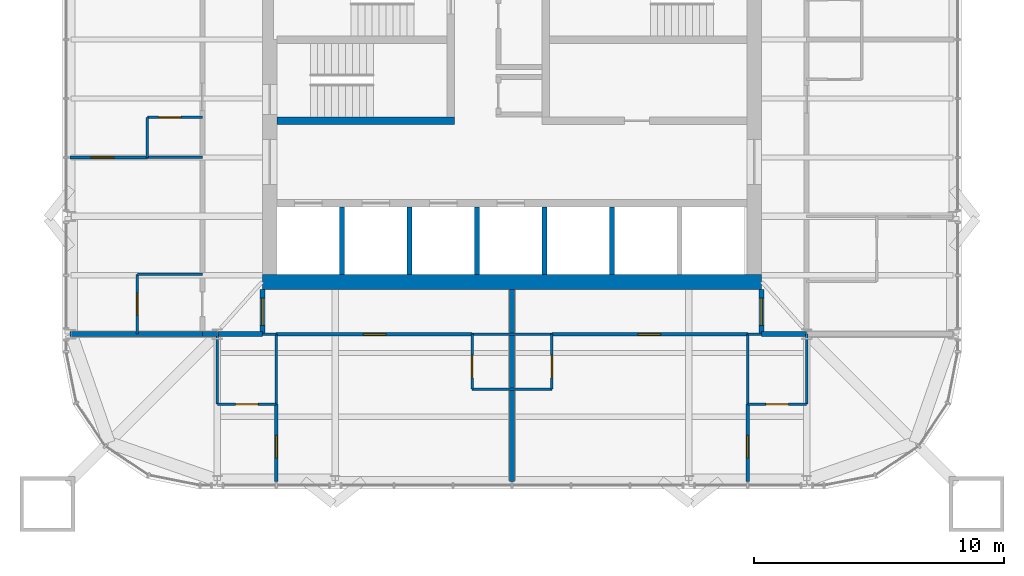
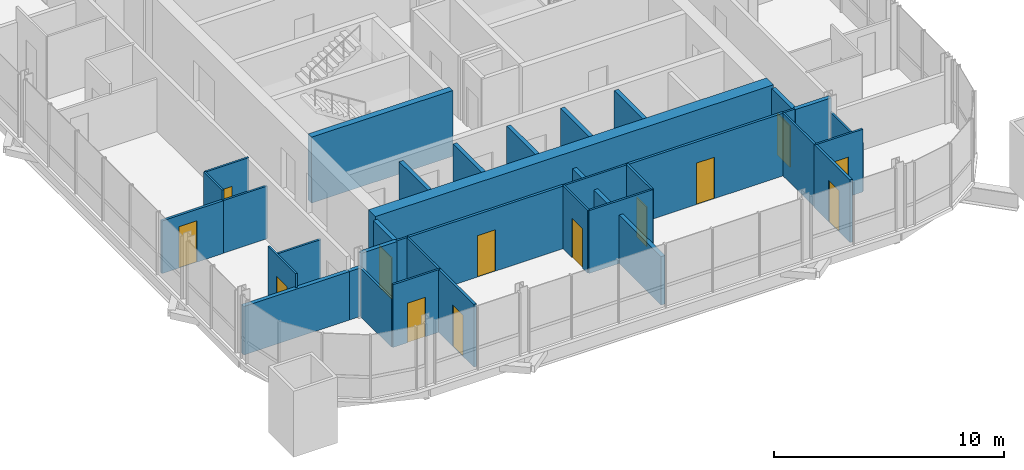
# One storey, part 13 of 17: 36 walls, 13 doors, 13 openings.
"""IFC4 building model written with IfcOpenShell, lengths in metres."""

from ifc_helpers import new_model, si_unit, direction, frame, frame_2d, origin, place, context, subcontext, project, spatial, rectangle, extrude, material, layer, layer_set, type_object, element, fill, save


model = new_model("IFC4")

# Units and contexts
model_context = context("Model", 3, precision=1e-05, world=origin(), true_north=direction((0.0, 1.0)))
body_context = subcontext(model_context, "Body", "Model", "MODEL_VIEW")
ifc_project = project(units=[si_unit("LENGTHUNIT", "METRE"), si_unit("AREAUNIT", "SQUARE_METRE"), si_unit("VOLUMEUNIT", "CUBIC_METRE"), si_unit("PLANEANGLEUNIT", "RADIAN"), si_unit("MASSUNIT", "GRAM", prefix="KILO")], contexts=[model_context])

# Site, building, storey
site_placement = place(None, origin())
site = spatial("IfcSite", under=ifc_project, at=site_placement, CompositionType="ELEMENT")
building_placement = place(site_placement, origin())
building = spatial("IfcBuilding", under=site, at=building_placement, Name="Turquesa Mirador Hotel Tower", CompositionType="ELEMENT")
storey_placement = place(building_placement, frame((0.0, 0.0, 240.699951171875)))
storey = spatial("IfcBuildingStorey", under=building, at=storey_placement, Name="L65", CompositionType="ELEMENT", Elevation=240.699951171875)

# Walls
ifc_material_1 = material(Name="Gypsum board on steel studs", Category="steel")
ifc_layer_1 = layer(ifc_material_1, 0.10009765625)
ifc_layer_set_1 = layer_set([ifc_layer_1], Name="BATHROOM WALL 100")
wall_type_1 = type_object("IfcWallType", Name="BATHROOM WALL 100", PredefinedType="PARTITIONING", material=ifc_layer_set_1)
wall_1_placement = place(storey_placement, frame((45.0, 33.199951171875, 0.0), z_axis=(0.0, 0.0, 1.0), x_axis=(1.0, 0.0, 0.0)))
element("IfcWall", 1, at=wall_1_placement, inside=storey, type_object=wall_type_1, Name="Partition L65 002", PredefinedType="PARTITIONING", context=body_context, shape_type="SweptSolid", body=[
    extrude(rectangle(XDim=0.56005859375, YDim=0.10009765625, at=frame_2d((0.280029296875, 0.0))), origin(), (0.0, 0.0, 1.0), 3.330078125),
])
wall_2_placement = place(storey_placement, frame((53.39990234375, 33.199951171875, 0.0), z_axis=(0.0, 0.0, 1.0), x_axis=(1.0, 0.0, 0.0)))
element("IfcWall", 2, at=wall_2_placement, inside=storey, type_object=wall_type_1, Name="Partition L65 003", PredefinedType="PARTITIONING", context=body_context, shape_type="SweptSolid", body=[
    extrude(rectangle(XDim=3.2001953125, YDim=0.10009765625, at=frame_2d((1.60009765625, 0.0))), origin(), (0.0, 0.0, 1.0), 3.330078125),
])
wall_3_placement = place(storey_placement, frame((64.43994140625, 33.199951171875, 0.0), z_axis=(0.0, 0.0, 1.0), x_axis=(1.0, 0.0, 0.0)))
element("IfcWall", 3, at=wall_3_placement, inside=storey, type_object=wall_type_1, Name="Partition L65 004", PredefinedType="PARTITIONING", context=body_context, shape_type="SweptSolid", body=[
    extrude(rectangle(XDim=0.56005859375, YDim=0.10009765625, at=frame_2d((0.280029296875, 0.0))), origin(), (0.0, 0.0, 1.0), 3.330078125),
])
wall_4_placement = place(storey_placement, frame((53.39990234375, 31.0, 0.0), z_axis=(0.0, 0.0, 1.0), x_axis=(1.0, 0.0, 0.0)))
element("IfcWall", 4, at=wall_4_placement, inside=storey, type_object=wall_type_1, Name="Partition L65 011", PredefinedType="PARTITIONING", context=body_context, shape_type="SweptSolid", body=[
    extrude(rectangle(XDim=3.2001953125, YDim=0.10009765625, at=frame_2d((1.60009765625, 0.0))), origin(), (0.0, 0.0, 1.0), 3.330078125),
])

# Wall, opening, door
wall_5_placement = place(storey_placement, frame((43.199951171875, 30.39990234375, 0.0), z_axis=(0.0, 0.0, 1.0), x_axis=(1.0, 0.0, 0.0)))
wall_5 = element("IfcWall", 5, at=wall_5_placement, inside=storey, type_object=wall_type_1, Name="Partition L65 012", PredefinedType="PARTITIONING", context=body_context, shape_type="SweptSolid", body=[
    extrude(rectangle(XDim=2.360107421875, YDim=0.10009765625, at=frame_2d((1.18017578125, 0.0))), origin(), (0.0, 0.0, 1.0), 3.330078125),
])
opening_1_placement = place(wall_5_placement, frame((0.72998046875, 0.0, 0.0)))
opening_1 = element("IfcOpeningElement", 6, at=opening_1_placement, cuts=wall_5, Name="Opening D02", PredefinedType="OPENING", context=body_context, shape_type="SweptSolid", body=[
    extrude(rectangle(XDim=0.89990234375, YDim=2.10009765625, at=frame_2d((0.449951171875, 1.050048828125))), frame((0.0, 0.06005859375, 0.0), z_axis=(0.0, -1.0, 0.0), x_axis=(1.0, 0.0, 0.0)), (0.0, 0.0, 1.0), 0.1201171875),
])
ifc_material_2 = material(Name="Timber veneered door", Category="wood")
door_type_1 = type_object("IfcDoorType", Name="DOOR 900X2100 EN-SUITE", OperationType="SINGLE_SWING_RIGHT", PredefinedType="DOOR", material=ifc_material_2)
door_1_placement = place(opening_1_placement, origin())
door_1 = element("IfcDoor", 7, at=door_1_placement, inside=storey, type_object=door_type_1, Name="Door 6502B", OperationType="SINGLE_SWING_RIGHT", OverallHeight=2.10009765625, OverallWidth=0.89990234375, PredefinedType="DOOR", context=body_context, shape_type="SweptSolid", body=[
    extrude(rectangle(XDim=0.89990234375, YDim=2.10009765625, at=frame_2d((0.449951171875, 1.050048828125))), frame((0.0, 0.02490234375, 0.0), z_axis=(0.0, -1.0, 0.0), x_axis=(1.0, 0.0, 0.0)), (0.0, 0.0, 1.0), 0.050048828125),
])
fill(opening_1, door_1)

wall_6_placement = place(storey_placement, frame((64.43994140625, 30.39990234375, 0.0), z_axis=(0.0, 0.0, 1.0), x_axis=(1.0, 0.0, 0.0)))
wall_6 = element("IfcWall", 8, at=wall_6_placement, inside=storey, type_object=wall_type_1, Name="Partition L65 013", PredefinedType="PARTITIONING", context=body_context, shape_type="SweptSolid", body=[
    extrude(rectangle(XDim=2.360107421875, YDim=0.10009765625, at=frame_2d((1.18017578125, 0.0))), origin(), (0.0, 0.0, 1.0), 3.330078125),
])
opening_2_placement = place(wall_6_placement, frame((0.72998046875, 0.0, 0.0)))
opening_2 = element("IfcOpeningElement", 9, at=opening_2_placement, cuts=wall_6, Name="Opening D02", PredefinedType="OPENING", context=body_context, shape_type="SweptSolid", body=[
    extrude(rectangle(XDim=0.89990234375, YDim=2.10009765625, at=frame_2d((0.449951171875, 1.050048828125))), frame((0.0, 0.06005859375, 0.0), z_axis=(0.0, -1.0, 0.0), x_axis=(1.0, 0.0, 0.0)), (0.0, 0.0, 1.0), 0.1201171875),
])
door_2_placement = place(opening_2_placement, origin())
door_2 = element("IfcDoor", 10, at=door_2_placement, inside=storey, type_object=door_type_1, Name="Door 6503B", OperationType="SINGLE_SWING_RIGHT", OverallHeight=2.10009765625, OverallWidth=0.89990234375, PredefinedType="DOOR", context=body_context, shape_type="SweptSolid", body=[
    extrude(rectangle(XDim=0.89990234375, YDim=2.10009765625, at=frame_2d((0.449951171875, 1.050048828125))), frame((0.0, 0.02490234375, 0.0), z_axis=(0.0, -1.0, 0.0), x_axis=(1.0, 0.0, 0.0)), (0.0, 0.0, 1.0), 0.050048828125),
])
fill(opening_2, door_2)

wall_7_placement = place(storey_placement, frame((40.39990234375, 41.8798828125, 0.0), z_axis=(0.0, 0.0, 1.0), x_axis=(1.0, 0.0, 0.0)))
wall_7 = element("IfcWall", 11, at=wall_7_placement, inside=storey, type_object=wall_type_1, Name="Partition L65 014", PredefinedType="PARTITIONING", context=body_context, shape_type="SweptSolid", body=[
    extrude(rectangle(XDim=2.2001953125, YDim=0.10009765625, at=frame_2d((1.10009765625, 0.0))), origin(), (0.0, 0.0, 1.0), 3.330078125),
])
opening_3_placement = place(wall_7_placement, frame((0.449951171875, 0.0, 0.0)))
opening_3 = element("IfcOpeningElement", 12, at=opening_3_placement, cuts=wall_7, Name="Opening D06", PredefinedType="OPENING", context=body_context, shape_type="SweptSolid", body=[
    extrude(rectangle(XDim=0.89990234375, YDim=2.10009765625, at=frame_2d((0.449951171875, 1.050048828125))), frame((0.0, 0.06005859375, 0.0), z_axis=(0.0, -1.0, 0.0), x_axis=(1.0, 0.0, 0.0)), (0.0, 0.0, 1.0), 0.1201171875),
])
ifc_material_3 = material(Name="Laminate door", Category="wood")
door_type_2 = type_object("IfcDoorType", Name="DOOR 900X2100 WC", OperationType="SINGLE_SWING_LEFT", PredefinedType="DOOR", material=ifc_material_3)
door_3_placement = place(opening_3_placement, origin())
door_3 = element("IfcDoor", 13, at=door_3_placement, inside=storey, type_object=door_type_2, Name="Door 6506W", OperationType="SINGLE_SWING_LEFT", OverallHeight=2.10009765625, OverallWidth=0.89990234375, PredefinedType="DOOR", context=body_context, shape_type="SweptSolid", body=[
    extrude(rectangle(XDim=0.89990234375, YDim=2.10009765625, at=frame_2d((0.449951171875, 1.050048828125))), frame((0.0, 0.02490234375, 0.0), z_axis=(0.0, -1.0, 0.0), x_axis=(1.0, 0.0, 0.0)), (0.0, 0.0, 1.0), 0.050048828125),
])
fill(opening_3, door_3)

# Walls
wall_8_placement = place(storey_placement, frame((40.39990234375, 40.280029296875, 0.0), z_axis=(0.0, 0.0, 1.0), x_axis=(1.0, 0.0, 0.0)))
element("IfcWall", 14, at=wall_8_placement, inside=storey, type_object=wall_type_1, Name="Partition L65 015", PredefinedType="PARTITIONING", context=body_context, shape_type="SweptSolid", body=[
    extrude(rectangle(XDim=2.2001953125, YDim=0.10009765625, at=frame_2d((1.10009765625, 0.0))), origin(), (0.0, 0.0, 1.0), 2.796630859375),
])
wall_9_placement = place(storey_placement, frame((40.0, 35.60009765625, 0.0), z_axis=(0.0, 0.0, 1.0), x_axis=(1.0, 0.0, 0.0)))
element("IfcWall", 15, at=wall_9_placement, inside=storey, type_object=wall_type_1, Name="Partition L65 019", PredefinedType="PARTITIONING", context=body_context, shape_type="SweptSolid", body=[
    extrude(rectangle(XDim=2.60009765625, YDim=0.10009765625, at=frame_2d((1.300048828125, 0.0))), origin(), (0.0, 0.0, 1.0), 2.796630859375),
])

# Wall, opening, door
wall_10_placement = place(storey_placement, frame((53.39990234375, 31.0, 0.0), z_axis=(0.0, 0.0, 1.0), x_axis=(0.0, 1.0, 0.0)))
wall_10 = element("IfcWall", 16, at=wall_10_placement, inside=storey, type_object=wall_type_1, Name="Partition L65 041", PredefinedType="PARTITIONING", context=body_context, shape_type="SweptSolid", body=[
    extrude(rectangle(XDim=2.199951171875, YDim=0.10009765625, at=frame_2d((1.10009765625, 0.0))), origin(), (0.0, 0.0, 1.0), 3.330078125),
])
opening_4_placement = place(wall_10_placement, frame((0.449951171875, 0.0, 0.0)))
opening_4 = element("IfcOpeningElement", 17, at=opening_4_placement, cuts=wall_10, Name="Opening D06", PredefinedType="OPENING", context=body_context, shape_type="SweptSolid", body=[
    extrude(rectangle(XDim=0.89990234375, YDim=2.10009765625, at=frame_2d((0.449951171875, 1.050048828125))), frame((0.0, 0.06005859375, 0.0), z_axis=(0.0, -1.0, 0.0), x_axis=(1.0, 0.0, 0.0)), (0.0, 0.0, 1.0), 0.1201171875),
])
door_4_placement = place(opening_4_placement, origin())
door_4 = element("IfcDoor", 18, at=door_4_placement, inside=storey, type_object=door_type_2, Name="Door 6502W", OperationType="SINGLE_SWING_LEFT", OverallHeight=2.10009765625, OverallWidth=0.89990234375, PredefinedType="DOOR", context=body_context, shape_type="SweptSolid", body=[
    extrude(rectangle(XDim=0.89990234375, YDim=2.10009765625, at=frame_2d((0.449951171875, 1.050048828125))), frame((0.0, 0.02490234375, 0.0), z_axis=(0.0, -1.0, 0.0), x_axis=(1.0, 0.0, 0.0)), (0.0, 0.0, 1.0), 0.050048828125),
])
fill(opening_4, door_4)

# Walls
wall_11_placement = place(storey_placement, frame((43.199951171875, 30.39990234375, 0.0), z_axis=(0.0, 0.0, 1.0), x_axis=(0.0, 1.0, 0.0)))
element("IfcWall", 19, at=wall_11_placement, inside=storey, type_object=wall_type_1, Name="Partition L65 044", PredefinedType="PARTITIONING", context=body_context, shape_type="SweptSolid", body=[
    extrude(rectangle(XDim=2.800048828125, YDim=0.10009765625, at=frame_2d((1.39990234375, 0.0))), origin(), (0.0, 0.0, 1.0), 2.5732421875),
])
wall_12_placement = place(storey_placement, frame((40.39990234375, 40.280029296875, 0.0), z_axis=(0.0, 0.0, 1.0), x_axis=(0.0, 1.0, 0.0)))
element("IfcWall", 20, at=wall_12_placement, inside=storey, type_object=wall_type_1, Name="Partition L65 047", PredefinedType="PARTITIONING", context=body_context, shape_type="SweptSolid", body=[
    extrude(rectangle(XDim=1.599853515625, YDim=0.10009765625, at=frame_2d((0.7998046875, 0.0))), origin(), (0.0, 0.0, 1.0), 3.330078125),
])

# Wall, opening, door
wall_13_placement = place(storey_placement, frame((40.0, 33.199951171875, 0.0), z_axis=(0.0, 0.0, 1.0), x_axis=(0.0, 1.0, 0.0)))
wall_13 = element("IfcWall", 21, at=wall_13_placement, inside=storey, type_object=wall_type_1, Name="Partition L65 049", PredefinedType="PARTITIONING", context=body_context, shape_type="SweptSolid", body=[
    extrude(rectangle(XDim=2.400146484375, YDim=0.10009765625, at=frame_2d((1.2001953125, 0.0))), origin(), (0.0, 0.0, 1.0), 3.330078125),
])
opening_5_placement = place(wall_13_placement, frame((0.75, 0.0, 0.0)))
opening_5 = element("IfcOpeningElement", 22, at=opening_5_placement, cuts=wall_13, Name="Opening D17", PredefinedType="OPENING", context=body_context, shape_type="SweptSolid", body=[
    extrude(rectangle(XDim=0.89990234375, YDim=2.199951171875, at=frame_2d((0.449951171875, 1.10009765625))), frame((0.0, 0.06005859375, 0.0), z_axis=(0.0, -1.0, 0.0), x_axis=(1.0, 0.0, 0.0)), (0.0, 0.0, 1.0), 0.1201171875),
])
ifc_material_4 = material(Name="Timber veneered door", Category="wood")
door_type_3 = type_object("IfcDoorType", Name="DOOR 900X2200 SUITE INTERNAL", OperationType="SINGLE_SWING_LEFT", PredefinedType="DOOR", material=ifc_material_4)
door_5_placement = place(opening_5_placement, origin())
door_5 = element("IfcDoor", 23, at=door_5_placement, inside=storey, type_object=door_type_3, Name="Door 6506P", OperationType="SINGLE_SWING_LEFT", OverallHeight=2.199951171875, OverallWidth=0.89990234375, PredefinedType="DOOR", context=body_context, shape_type="SweptSolid", body=[
    extrude(rectangle(XDim=0.89990234375, YDim=2.199951171875, at=frame_2d((0.449951171875, 1.10009765625))), frame((0.0, 0.02490234375, 0.0), z_axis=(0.0, -1.0, 0.0), x_axis=(1.0, 0.0, 0.0)), (0.0, 0.0, 1.0), 0.050048828125),
])
fill(opening_5, door_5)

# Wall
wall_14_placement = place(storey_placement, frame((45.56005859375, 30.39990234375, 0.0), z_axis=(0.0, 0.0, 1.0), x_axis=(0.0, 1.0, 0.0)))
element("IfcWall", 24, at=wall_14_placement, inside=storey, type_object=wall_type_1, Name="Partition L65 055", PredefinedType="PARTITIONING", context=body_context, shape_type="SweptSolid", body=[
    extrude(rectangle(XDim=2.800048828125, YDim=0.10009765625, at=frame_2d((1.39990234375, 0.0))), origin(), (0.0, 0.0, 1.0), 3.330078125),
])

# Wall, opening, door
wall_15_placement = place(storey_placement, frame((56.60009765625, 31.0, 0.0), z_axis=(0.0, 0.0, 1.0), x_axis=(0.0, 1.0, 0.0)))
wall_15 = element("IfcWall", 25, at=wall_15_placement, inside=storey, type_object=wall_type_1, Name="Partition L65 058", PredefinedType="PARTITIONING", context=body_context, shape_type="SweptSolid", body=[
    extrude(rectangle(XDim=2.199951171875, YDim=0.10009765625, at=frame_2d((1.10009765625, 0.0))), origin(), (0.0, 0.0, 1.0), 3.330078125),
])
opening_6_placement = place(wall_15_placement, frame((0.449951171875, 0.0, 0.0)))
opening_6 = element("IfcOpeningElement", 26, at=opening_6_placement, cuts=wall_15, Name="Opening D06", PredefinedType="OPENING", context=body_context, shape_type="SweptSolid", body=[
    extrude(rectangle(XDim=0.89990234375, YDim=2.10009765625, at=frame_2d((0.449951171875, 1.050048828125))), frame((0.0, 0.06005859375, 0.0), z_axis=(0.0, -1.0, 0.0), x_axis=(1.0, 0.0, 0.0)), (0.0, 0.0, 1.0), 0.1201171875),
])
door_6_placement = place(opening_6_placement, origin())
door_6 = element("IfcDoor", 27, at=door_6_placement, inside=storey, type_object=door_type_2, Name="Door 6503W", OperationType="SINGLE_SWING_LEFT", OverallHeight=2.10009765625, OverallWidth=0.89990234375, PredefinedType="DOOR", context=body_context, shape_type="SweptSolid", body=[
    extrude(rectangle(XDim=0.89990234375, YDim=2.10009765625, at=frame_2d((0.449951171875, 1.050048828125))), frame((0.0, 0.02490234375, 0.0), z_axis=(0.0, -1.0, 0.0), x_axis=(1.0, 0.0, 0.0)), (0.0, 0.0, 1.0), 0.050048828125),
])
fill(opening_6, door_6)

# Walls
wall_16_placement = place(storey_placement, frame((66.800048828125, 30.39990234375, 0.0), z_axis=(0.0, 0.0, 1.0), x_axis=(0.0, 1.0, 0.0)))
element("IfcWall", 28, at=wall_16_placement, inside=storey, type_object=wall_type_1, Name="Partition L65 061", PredefinedType="PARTITIONING", context=body_context, shape_type="SweptSolid", body=[
    extrude(rectangle(XDim=2.800048828125, YDim=0.10009765625, at=frame_2d((1.39990234375, 0.0))), origin(), (0.0, 0.0, 1.0), 2.5732421875),
])
wall_17_placement = place(storey_placement, frame((64.43994140625, 30.39990234375, 0.0), z_axis=(0.0, 0.0, 1.0), x_axis=(0.0, 1.0, 0.0)))
element("IfcWall", 29, at=wall_17_placement, inside=storey, type_object=wall_type_1, Name="Partition L65 070", PredefinedType="PARTITIONING", context=body_context, shape_type="SweptSolid", body=[
    extrude(rectangle(XDim=2.800048828125, YDim=0.10009765625, at=frame_2d((1.39990234375, 0.0))), origin(), (0.0, 0.0, 1.0), 3.330078125),
])
ifc_material_5 = material(Name="Concrete C50/60", Category="concrete")
ifc_layer_2 = layer(ifc_material_5, 0.300048828125)
ifc_layer_set_2 = layer_set([ifc_layer_2], Name="CORE INNER WALL 300")
wall_type_2 = type_object("IfcWallType", Name="CORE INNER WALL 300", PredefinedType="SHEAR", material=ifc_layer_set_2)
wall_18_placement = place(storey_placement, frame((45.60009765625, 41.75, 0.0), z_axis=(0.0, 0.0, 1.0), x_axis=(1.0, 0.0, 0.0)))
element("IfcWall", 30, at=wall_18_placement, inside=storey, type_object=wall_type_2, Name="Core wall MS-W", PredefinedType="SHEAR", context=body_context, shape_type="SweptSolid", body=[
    extrude(rectangle(XDim=7.099853515625, YDim=0.300048828125, at=frame_2d((3.5498046875, 0.0))), origin(), (0.0, 0.0, 1.0), 3.5),
])
ifc_material_6 = material(Name="Concrete C50/60", Category="concrete")
ifc_layer_3 = layer(ifc_material_6, 0.60009765625)
ifc_layer_set_3 = layer_set([ifc_layer_3], Name="CORE WALL 600")
wall_type_3 = type_object("IfcWallType", Name="CORE WALL 600", PredefinedType="SHEAR", material=ifc_layer_set_3)
wall_19_placement = place(storey_placement, frame((45.0, 35.300048828125, 0.0), z_axis=(0.0, 0.0, 1.0), x_axis=(1.0, 0.0, 0.0)))
element("IfcWall", 31, at=wall_19_placement, inside=storey, type_object=wall_type_3, Name="Core wall S", PredefinedType="SHEAR", context=body_context, shape_type="SweptSolid", body=[
    extrude(rectangle(XDim=20.0, YDim=0.60009765625, at=frame_2d((10.0, 0.0))), origin(), (0.0, 0.0, 1.0), 3.5),
])
ifc_material_7 = material(Name="Fire-rated gypsum board on steel studs", Category="steel")
ifc_layer_4 = layer(ifc_material_7, 0.199951171875)
ifc_layer_set_4 = layer_set([ifc_layer_4], Name="CORRIDOR WALL 200")
wall_type_4 = type_object("IfcWallType", Name="CORRIDOR WALL 200", PredefinedType="PARTITIONING", material=ifc_layer_set_4)
wall_20_placement = place(storey_placement, frame((43.219970703125, 33.199951171875, 0.0), z_axis=(0.0, 0.0, 1.0), x_axis=(1.0, 0.0, 0.0)))
element("IfcWall", 32, at=wall_20_placement, inside=storey, type_object=wall_type_4, Name="Partition L65 005", PredefinedType="PARTITIONING", context=body_context, shape_type="SweptSolid", body=[
    extrude(rectangle(XDim=1.780029296875, YDim=0.199951171875, at=frame_2d((0.89013671875, 0.0))), origin(), (0.0, 0.0, 1.0), 3.330078125),
])
wall_21_placement = place(storey_placement, frame((65.0, 33.199951171875, 0.0), z_axis=(0.0, 0.0, 1.0), x_axis=(1.0, 0.0, 0.0)))
element("IfcWall", 33, at=wall_21_placement, inside=storey, type_object=wall_type_4, Name="Partition L65 006", PredefinedType="PARTITIONING", context=body_context, shape_type="SweptSolid", body=[
    extrude(rectangle(XDim=1.800048828125, YDim=0.199951171875, at=frame_2d((0.89990234375, 0.0))), origin(), (0.0, 0.0, 1.0), 3.330078125),
])

# Wall, opening, door
wall_22_placement = place(storey_placement, frame((45.0, 33.199951171875, 0.0), z_axis=(0.0, 0.0, 1.0), x_axis=(0.0, 1.0, 0.0)))
wall_22 = element("IfcWall", 34, at=wall_22_placement, inside=storey, type_object=wall_type_4, Name="Partition L65 042", PredefinedType="PARTITIONING", context=body_context, shape_type="SweptSolid", body=[
    extrude(rectangle(XDim=1.800048828125, YDim=0.199951171875, at=frame_2d((0.89990234375, 0.0))), origin(), (0.0, 0.0, 1.0), 3.330078125),
])
opening_7_placement = place(wall_22_placement, frame((0.35009765625, 0.0, 0.0)))
opening_7 = element("IfcOpeningElement", 35, at=opening_7_placement, cuts=wall_22, Name="Opening D15", PredefinedType="OPENING", context=body_context, shape_type="SweptSolid", body=[
    extrude(rectangle(XDim=1.10009765625, YDim=2.199951171875, at=frame_2d((0.550048828125, 1.10009765625))), frame((0.0, 0.10986328125, 0.0), z_axis=(0.0, -1.0, 0.0), x_axis=(1.0, 0.0, 0.0)), (0.0, 0.0, 1.0), 0.219970703125),
])
ifc_material_8 = material(Name="Timber veneered fire door", Category="wood")
door_type_4 = type_object("IfcDoorType", Name="DOOR 1100X2200 SUITE ENTRY", OperationType="SINGLE_SWING_LEFT", PredefinedType="DOOR", material=ifc_material_8)
door_7_placement = place(opening_7_placement, origin())
door_7 = element("IfcDoor", 36, at=door_7_placement, inside=storey, type_object=door_type_4, Name="Door 6502G", OperationType="SINGLE_SWING_LEFT", OverallHeight=2.199951171875, OverallWidth=1.10009765625, PredefinedType="DOOR", context=body_context, shape_type="SweptSolid", body=[
    extrude(rectangle(XDim=1.10009765625, YDim=2.199951171875, at=frame_2d((0.550048828125, 1.10009765625))), frame((0.0, 0.02490234375, 0.0), z_axis=(0.0, -1.0, 0.0), x_axis=(1.0, 0.0, 0.0)), (0.0, 0.0, 1.0), 0.050048828125),
])
fill(opening_7, door_7)

wall_23_placement = place(storey_placement, frame((65.0, 33.199951171875, 0.0), z_axis=(0.0, 0.0, 1.0), x_axis=(0.0, 1.0, 0.0)))
wall_23 = element("IfcWall", 37, at=wall_23_placement, inside=storey, type_object=wall_type_4, Name="Partition L65 059", PredefinedType="PARTITIONING", context=body_context, shape_type="SweptSolid", body=[
    extrude(rectangle(XDim=1.800048828125, YDim=0.199951171875, at=frame_2d((0.89990234375, 0.0))), origin(), (0.0, 0.0, 1.0), 3.330078125),
])
opening_8_placement = place(wall_23_placement, frame((0.35009765625, 0.0, 0.0)))
opening_8 = element("IfcOpeningElement", 38, at=opening_8_placement, cuts=wall_23, Name="Opening D15", PredefinedType="OPENING", context=body_context, shape_type="SweptSolid", body=[
    extrude(rectangle(XDim=1.10009765625, YDim=2.199951171875, at=frame_2d((0.550048828125, 1.10009765625))), frame((0.0, 0.10986328125, 0.0), z_axis=(0.0, -1.0, 0.0), x_axis=(1.0, 0.0, 0.0)), (0.0, 0.0, 1.0), 0.219970703125),
])
door_8_placement = place(opening_8_placement, origin())
door_8 = element("IfcDoor", 39, at=door_8_placement, inside=storey, type_object=door_type_4, Name="Door 6503G", OperationType="SINGLE_SWING_LEFT", OverallHeight=2.199951171875, OverallWidth=1.10009765625, PredefinedType="DOOR", context=body_context, shape_type="SweptSolid", body=[
    extrude(rectangle(XDim=1.10009765625, YDim=2.199951171875, at=frame_2d((0.550048828125, 1.10009765625))), frame((0.0, 0.02490234375, 0.0), z_axis=(0.0, -1.0, 0.0), x_axis=(1.0, 0.0, 0.0)), (0.0, 0.0, 1.0), 0.050048828125),
])
fill(opening_8, door_8)

# Walls
wall_24_placement = place(storey_placement, frame((42.60009765625, 33.199951171875, 0.0), z_axis=(0.0, 0.0, 1.0), x_axis=(1.0, 0.0, 0.0)))
element("IfcWall", 40, at=wall_24_placement, inside=storey, type_object=wall_type_4, Name="Partition L65 072", PredefinedType="PARTITIONING", context=body_context, shape_type="SweptSolid", body=[
    extrude(rectangle(XDim=0.619873046875, YDim=0.199951171875, at=frame_2d((0.31005859375, 0.0))), origin(), (0.0, 0.0, 1.0), 2.5732421875),
])
ifc_material_9 = material(Name="Fire-rated gypsum shaft wall on steel studs", Category="steel")
ifc_layer_5 = layer(ifc_material_9, 0.199951171875)
ifc_layer_set_5 = layer_set([ifc_layer_5], Name="LIFT SHAFT DIVIDER 200")
wall_type_5 = type_object("IfcWallType", Name="LIFT SHAFT DIVIDER 200", PredefinedType="PARTITIONING", material=ifc_layer_set_5)
for number, where, z_axis, x_axis, name in (
    (41, (48.199951171875, 35.60009765625, 0.0), (0.0, 0.0, 1.0), (0.0, 1.0, 0.0), "Lift shaft divider"),
    (42, (50.89990234375, 35.60009765625, 0.0), (0.0, 0.0, 1.0), (0.0, 1.0, 0.0), "Lift shaft divider"),
    (43, (53.60009765625, 35.60009765625, 0.0), (0.0, 0.0, 1.0), (0.0, 1.0, 0.0), "Lift shaft divider"),
    (44, (56.300048828125, 35.60009765625, 0.0), (0.0, 0.0, 1.0), (0.0, 1.0, 0.0), "Lift shaft divider"),
    (45, (59.0, 35.60009765625, 0.0), (0.0, 0.0, 1.0), (0.0, 1.0, 0.0), "Lift shaft divider"),
):
    element("IfcWall", number, at=place(storey_placement, frame(where, z_axis=z_axis, x_axis=x_axis)), inside=storey, type_object=wall_type_5, Name=name, PredefinedType="PARTITIONING", context=body_context, shape_type="SweptSolid", body=[
        extrude(rectangle(XDim=2.699951171875, YDim=0.199951171875, at=frame_2d((1.35009765625, 0.0))), origin(), (0.0, 0.0, 1.0), 3.330078125),
    ])
ifc_material_10 = material(Name="Fire-rated gypsum board on steel studs", Category="steel")
ifc_layer_6 = layer(ifc_material_10, 0.199951171875)
ifc_layer_set_6 = layer_set([ifc_layer_6], Name="PARTY WALL 200")
wall_type_6 = type_object("IfcWallType", Name="PARTY WALL 200", PredefinedType="PARTITIONING", material=ifc_layer_set_6)
wall_25_placement = place(storey_placement, frame((37.300048828125, 33.199951171875, 0.0), z_axis=(0.0, 0.0, 1.0), x_axis=(1.0, 0.0, 0.0)))
element("IfcWall", 46, at=wall_25_placement, inside=storey, type_object=wall_type_6, Name="Partition L65 007", PredefinedType="PARTITIONING", context=body_context, shape_type="SweptSolid", body=[
    extrude(rectangle(XDim=5.300048828125, YDim=0.199951171875, at=frame_2d((2.64990234375, 0.0))), origin(), (0.0, 0.0, 1.0), 2.5732421875),
])
wall_26_placement = place(storey_placement, frame((55.0, 27.300048828125, 0.0), z_axis=(0.0, 0.0, 1.0), x_axis=(0.0, 1.0, 0.0)))
element("IfcWall", 47, at=wall_26_placement, inside=storey, type_object=wall_type_6, Name="Partition L65 057", PredefinedType="PARTITIONING", context=body_context, shape_type="SweptSolid", body=[
    extrude(rectangle(XDim=7.699951171875, YDim=0.199951171875, at=frame_2d((3.85009765625, 0.0))), origin(), (0.0, 0.0, 1.0), 2.5732421875),
])

# Wall, opening, door
ifc_material_11 = material(Name="Acoustic gypsum board on steel studs", Category="steel")
ifc_layer_7 = layer(ifc_material_11, 0.125)
ifc_layer_set_7 = layer_set([ifc_layer_7], Name="SUITE PARTITION 125")
wall_type_7 = type_object("IfcWallType", Name="SUITE PARTITION 125", PredefinedType="PARTITIONING", material=ifc_layer_set_7)
wall_27_placement = place(storey_placement, frame((45.56005859375, 33.199951171875, 0.0), z_axis=(0.0, 0.0, 1.0), x_axis=(1.0, 0.0, 0.0)))
wall_27 = element("IfcWall", 48, at=wall_27_placement, inside=storey, type_object=wall_type_7, Name="Partition L65 009", PredefinedType="PARTITIONING", context=body_context, shape_type="SweptSolid", body=[
    extrude(rectangle(XDim=7.83984375, YDim=0.125, at=frame_2d((3.919921875, 0.0))), origin(), (0.0, 0.0, 1.0), 3.330078125),
])
opening_9_placement = place(wall_27_placement, frame((3.489990234375, 0.0, 0.0)))
opening_9 = element("IfcOpeningElement", 49, at=opening_9_placement, cuts=wall_27, Name="Opening D17", PredefinedType="OPENING", context=body_context, shape_type="SweptSolid", body=[
    extrude(rectangle(XDim=0.89990234375, YDim=2.199951171875, at=frame_2d((0.449951171875, 1.10009765625))), frame((0.0, 0.072509765625, 0.0), z_axis=(0.0, -1.0, 0.0), x_axis=(1.0, 0.0, 0.0)), (0.0, 0.0, 1.0), 0.14501953125),
])
door_9_placement = place(opening_9_placement, origin())
door_9 = element("IfcDoor", 50, at=door_9_placement, inside=storey, type_object=door_type_3, Name="Door 6502", OperationType="SINGLE_SWING_LEFT", OverallHeight=2.199951171875, OverallWidth=0.89990234375, PredefinedType="DOOR", context=body_context, shape_type="SweptSolid", body=[
    extrude(rectangle(XDim=0.89990234375, YDim=2.199951171875, at=frame_2d((0.449951171875, 1.10009765625))), frame((0.0, 0.02490234375, 0.0), z_axis=(0.0, -1.0, 0.0), x_axis=(1.0, 0.0, 0.0)), (0.0, 0.0, 1.0), 0.050048828125),
])
fill(opening_9, door_9)

wall_28_placement = place(storey_placement, frame((56.60009765625, 33.199951171875, 0.0), z_axis=(0.0, 0.0, 1.0), x_axis=(1.0, 0.0, 0.0)))
wall_28 = element("IfcWall", 51, at=wall_28_placement, inside=storey, type_object=wall_type_7, Name="Partition L65 010", PredefinedType="PARTITIONING", context=body_context, shape_type="SweptSolid", body=[
    extrude(rectangle(XDim=7.83984375, YDim=0.125, at=frame_2d((3.919921875, 0.0))), origin(), (0.0, 0.0, 1.0), 3.330078125),
])
opening_10_placement = place(wall_28_placement, frame((3.449951171875, 0.0, 0.0)))
opening_10 = element("IfcOpeningElement", 52, at=opening_10_placement, cuts=wall_28, Name="Opening D17", PredefinedType="OPENING", context=body_context, shape_type="SweptSolid", body=[
    extrude(rectangle(XDim=0.89990234375, YDim=2.199951171875, at=frame_2d((0.449951171875, 1.10009765625))), frame((0.0, 0.072509765625, 0.0), z_axis=(0.0, -1.0, 0.0), x_axis=(1.0, 0.0, 0.0)), (0.0, 0.0, 1.0), 0.14501953125),
])
door_10_placement = place(opening_10_placement, origin())
door_10 = element("IfcDoor", 53, at=door_10_placement, inside=storey, type_object=door_type_3, Name="Door 6503", OperationType="SINGLE_SWING_LEFT", OverallHeight=2.199951171875, OverallWidth=0.89990234375, PredefinedType="DOOR", context=body_context, shape_type="SweptSolid", body=[
    extrude(rectangle(XDim=0.89990234375, YDim=2.199951171875, at=frame_2d((0.449951171875, 1.10009765625))), frame((0.0, 0.02490234375, 0.0), z_axis=(0.0, -1.0, 0.0), x_axis=(1.0, 0.0, 0.0)), (0.0, 0.0, 1.0), 0.050048828125),
])
fill(opening_10, door_10)

wall_29_placement = place(storey_placement, frame((37.300048828125, 40.280029296875, 0.0), z_axis=(0.0, 0.0, 1.0), x_axis=(1.0, 0.0, 0.0)))
wall_29 = element("IfcWall", 54, at=wall_29_placement, inside=storey, type_object=wall_type_7, Name="Partition L65 016", PredefinedType="PARTITIONING", context=body_context, shape_type="SweptSolid", body=[
    extrude(rectangle(XDim=3.099853515625, YDim=0.125, at=frame_2d((1.5498046875, 0.0))), origin(), (0.0, 0.0, 1.0), 2.796630859375),
])
opening_11_placement = place(wall_29_placement, frame((0.85009765625, 0.0, 0.0)))
opening_11 = element("IfcOpeningElement", 55, at=opening_11_placement, cuts=wall_29, Name="Opening D17", PredefinedType="OPENING", context=body_context, shape_type="SweptSolid", body=[
    extrude(rectangle(XDim=0.89990234375, YDim=2.199951171875, at=frame_2d((0.449951171875, 1.10009765625))), frame((0.0, 0.072509765625, 0.0), z_axis=(0.0, -1.0, 0.0), x_axis=(1.0, 0.0, 0.0)), (0.0, 0.0, 1.0), 0.14501953125),
])
door_11_placement = place(opening_11_placement, origin())
door_11 = element("IfcDoor", 56, at=door_11_placement, inside=storey, type_object=door_type_3, Name="Door 6506M", OperationType="SINGLE_SWING_LEFT", OverallHeight=2.199951171875, OverallWidth=0.89990234375, PredefinedType="DOOR", context=body_context, shape_type="SweptSolid", body=[
    extrude(rectangle(XDim=0.89990234375, YDim=2.199951171875, at=frame_2d((0.449951171875, 1.10009765625))), frame((0.0, 0.02490234375, 0.0), z_axis=(0.0, -1.0, 0.0), x_axis=(1.0, 0.0, 0.0)), (0.0, 0.0, 1.0), 0.050048828125),
])
fill(opening_11, door_11)

wall_30_placement = place(storey_placement, frame((45.56005859375, 27.300048828125, 0.0), z_axis=(0.0, 0.0, 1.0), x_axis=(0.0, 1.0, 0.0)))
wall_30 = element("IfcWall", 57, at=wall_30_placement, inside=storey, type_object=wall_type_7, Name="Partition L65 056", PredefinedType="PARTITIONING", context=body_context, shape_type="SweptSolid", body=[
    extrude(rectangle(XDim=3.099853515625, YDim=0.125, at=frame_2d((1.5498046875, 0.0))), origin(), (0.0, 0.0, 1.0), 3.330078125),
])
opening_12_placement = place(wall_30_placement, frame((0.949951171875, 0.0, 0.0)))
opening_12 = element("IfcOpeningElement", 58, at=opening_12_placement, cuts=wall_30, Name="Opening D17", PredefinedType="OPENING", context=body_context, shape_type="SweptSolid", body=[
    extrude(rectangle(XDim=0.89990234375, YDim=2.199951171875, at=frame_2d((0.449951171875, 1.10009765625))), frame((0.0, 0.072509765625, 0.0), z_axis=(0.0, -1.0, 0.0), x_axis=(1.0, 0.0, 0.0)), (0.0, 0.0, 1.0), 0.14501953125),
])
door_12_placement = place(opening_12_placement, origin())
door_12 = element("IfcDoor", 59, at=door_12_placement, inside=storey, type_object=door_type_3, Name="Door 6502R", OperationType="SINGLE_SWING_LEFT", OverallHeight=2.199951171875, OverallWidth=0.89990234375, PredefinedType="DOOR", context=body_context, shape_type="SweptSolid", body=[
    extrude(rectangle(XDim=0.89990234375, YDim=2.199951171875, at=frame_2d((0.449951171875, 1.10009765625))), frame((0.0, 0.02490234375, 0.0), z_axis=(0.0, -1.0, 0.0), x_axis=(1.0, 0.0, 0.0)), (0.0, 0.0, 1.0), 0.050048828125),
])
fill(opening_12, door_12)

wall_31_placement = place(storey_placement, frame((64.43994140625, 27.300048828125, 0.0), z_axis=(0.0, 0.0, 1.0), x_axis=(0.0, 1.0, 0.0)))
wall_31 = element("IfcWall", 60, at=wall_31_placement, inside=storey, type_object=wall_type_7, Name="Partition L65 071", PredefinedType="PARTITIONING", context=body_context, shape_type="SweptSolid", body=[
    extrude(rectangle(XDim=3.099853515625, YDim=0.125, at=frame_2d((1.5498046875, 0.0))), origin(), (0.0, 0.0, 1.0), 3.330078125),
])
opening_13_placement = place(wall_31_placement, frame((0.949951171875, 0.0, 0.0)))
opening_13 = element("IfcOpeningElement", 61, at=opening_13_placement, cuts=wall_31, Name="Opening D17", PredefinedType="OPENING", context=body_context, shape_type="SweptSolid", body=[
    extrude(rectangle(XDim=0.89990234375, YDim=2.199951171875, at=frame_2d((0.449951171875, 1.10009765625))), frame((0.0, 0.072509765625, 0.0), z_axis=(0.0, -1.0, 0.0), x_axis=(1.0, 0.0, 0.0)), (0.0, 0.0, 1.0), 0.14501953125),
])
door_13_placement = place(opening_13_placement, origin())
door_13 = element("IfcDoor", 62, at=door_13_placement, inside=storey, type_object=door_type_3, Name="Door 6503R", OperationType="SINGLE_SWING_LEFT", OverallHeight=2.199951171875, OverallWidth=0.89990234375, PredefinedType="DOOR", context=body_context, shape_type="SweptSolid", body=[
    extrude(rectangle(XDim=0.89990234375, YDim=2.199951171875, at=frame_2d((0.449951171875, 1.10009765625))), frame((0.0, 0.02490234375, 0.0), z_axis=(0.0, -1.0, 0.0), x_axis=(1.0, 0.0, 0.0)), (0.0, 0.0, 1.0), 0.050048828125),
])
fill(opening_13, door_13)

save(model, "model.ifc")
